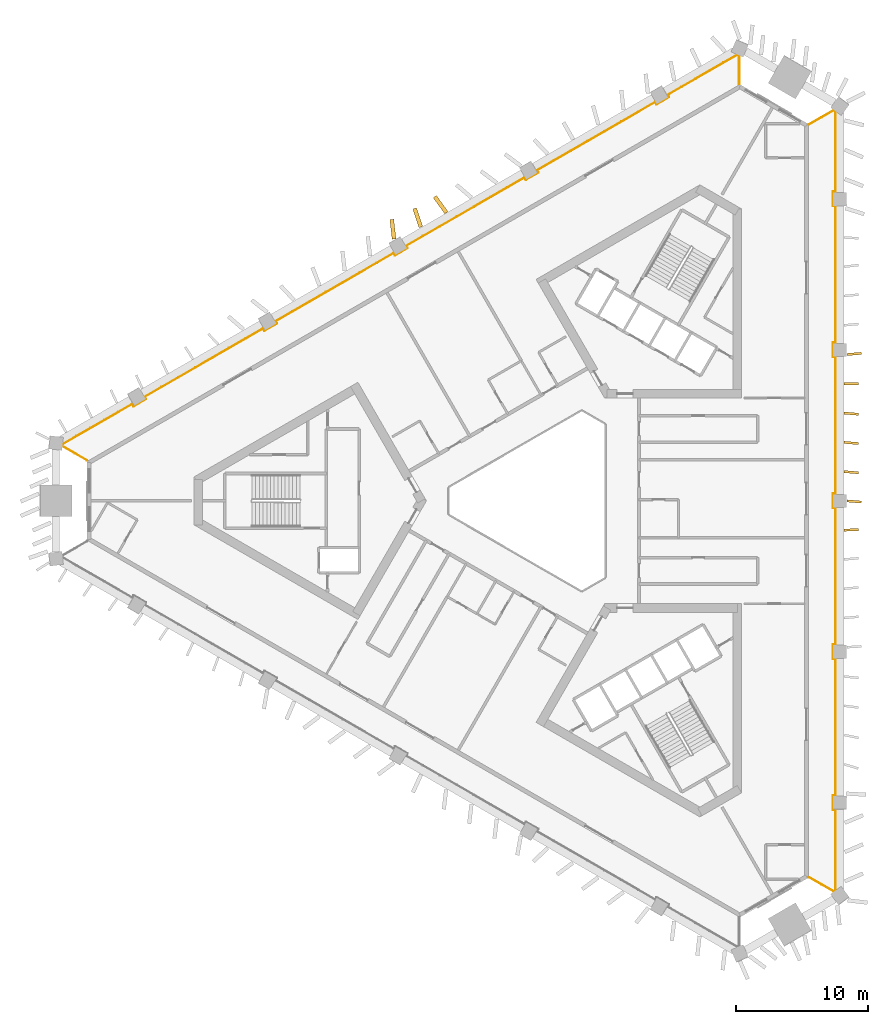
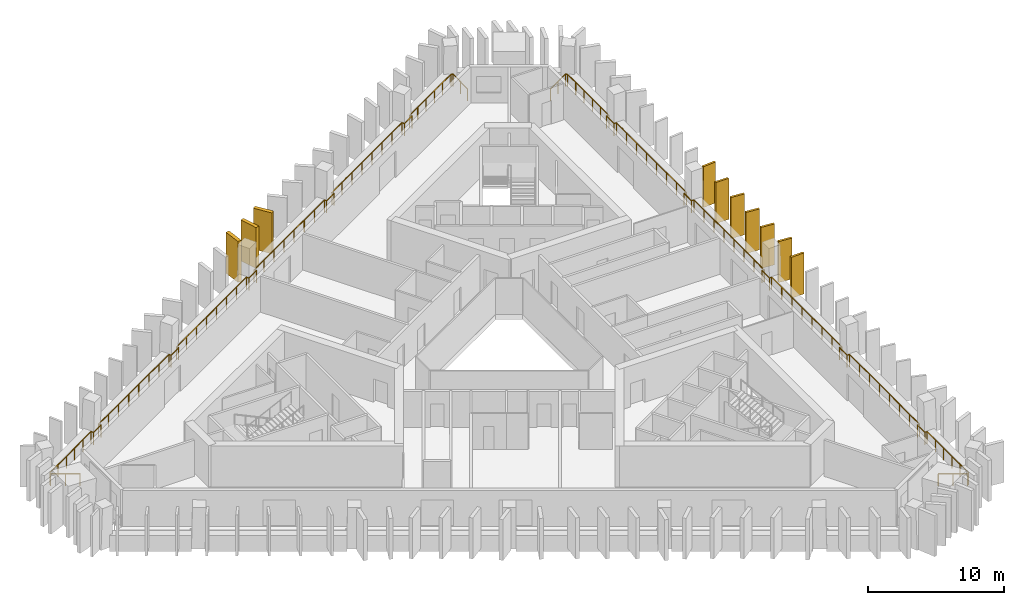
# One storey, part 10 of 11: 10 shading devices, 2 railings.
"""IFC4 building model written with IfcOpenShell, lengths in metres."""

from ifc_helpers import new_model, si_unit, direction, frame, frame_2d, origin, origin_2d, place, context, subcontext, project, spatial, rectangle, circle, extrude, material, layer, layer_set, type_object, element, save


model = new_model("IFC4")

# Units and contexts
model_context = context("Model", 3, precision=1e-05, world=origin(), true_north=direction((0.0, 1.0)))
body_context = subcontext(model_context, "Body", "Model", "MODEL_VIEW")
ifc_project = project(units=[si_unit("LENGTHUNIT", "METRE"), si_unit("AREAUNIT", "SQUARE_METRE"), si_unit("VOLUMEUNIT", "CUBIC_METRE"), si_unit("PLANEANGLEUNIT", "RADIAN"), si_unit("MASSUNIT", "GRAM", prefix="KILO")], contexts=[model_context])

# Site, building, storey
site_placement = place(None, origin())
site = spatial("IfcSite", under=ifc_project, at=site_placement, CompositionType="ELEMENT")
building_placement = place(site_placement, origin())
building = spatial("IfcBuilding", under=site, at=building_placement, Name="Jabali Bay Hotel Tower and Convention Centre", CompositionType="ELEMENT")
storey_placement = place(building_placement, frame((0.0, 0.0, 114.199951171875)))
storey = spatial("IfcBuildingStorey", under=building, at=storey_placement, Name="L27", CompositionType="ELEMENT", Elevation=114.199951171875)

# Railings
ifc_material_1 = material(Name="Glass", Category="glass")
railing_type = type_object("IfcRailingType", Name="Loggia glass guard 1100", PredefinedType="BALUSTRADE", material=ifc_material_1)
railing_1_placement = place(storey_placement, frame((95.0, 108.526611328125, 0.0)))
element("IfcRailing", 1, at=railing_1_placement, inside=storey, type_object=railing_type, Name="Loggia glass guard L27", PredefinedType="BALUSTRADE", context=body_context, shape_type="SweptSolid", body=[
    extrude(circle(Radius=0.02490234375, at=origin_2d()), frame((0.0, 0.0, 1.0751953125), z_axis=(0.866056034881, 0.49994694163, 0.0), x_axis=(-0.495669826239, 0.858646805445, 0.13052619222)), (0.0, 0.0, 1.0), 2.165283203125),
    extrude(circle(Radius=0.02490234375, at=origin_2d()), frame((1.875244140625, 1.08251953125, 1.0751953125), z_axis=(0.800939455023, -0.598745346025, 0.0), x_axis=(0.593622996588, 0.794087306954, 0.13052619222)), (0.0, 0.0, 1.0), 0.15576171875),
    extrude(circle(Radius=0.02490234375, at=origin_2d()), frame((2.0, 0.9892578125, 1.0751953125), z_axis=(0.0, -1.0, 0.0), x_axis=(0.991444861374, 0.0, 0.13052619222)), (0.0, 0.0, 1.0), 6.081787109375),
    extrude(circle(Radius=0.02490234375, at=origin_2d()), frame((2.0, -5.092529296875, 1.0751953125), z_axis=(-1.0, 0.0, 0.0), x_axis=(0.0, -0.991444861374, 0.13052619222)), (0.0, 0.0, 1.0), 0.199951171875),
    extrude(circle(Radius=0.02490234375, at=origin_2d()), frame((1.800048828125, -5.092529296875, 1.0751953125), z_axis=(0.0, -1.0, 0.0), x_axis=(0.991444861374, 0.0, 0.13052619222)), (0.0, 0.0, 1.0), 1.099853515625),
    extrude(circle(Radius=0.02490234375, at=origin_2d()), frame((1.800048828125, -6.1923828125, 1.0751953125), z_axis=(1.0, 0.0, 0.0), x_axis=(0.0, 0.991444861374, 0.13052619222)), (0.0, 0.0, 1.0), 0.199951171875),
    extrude(circle(Radius=0.02490234375, at=origin_2d()), frame((2.0, -6.1923828125, 1.0751953125), z_axis=(0.0, -1.0, 0.0), x_axis=(0.991444861374, 0.0, 0.13052619222)), (0.0, 0.0, 1.0), 10.342041015625),
    extrude(circle(Radius=0.02490234375, at=origin_2d()), frame((2.0, -16.534423828125, 1.0751953125), z_axis=(-1.0, 0.0, 0.0), x_axis=(0.0, -0.991444861374, 0.13052619222)), (0.0, 0.0, 1.0), 0.199951171875),
    extrude(circle(Radius=0.02490234375, at=origin_2d()), frame((1.800048828125, -16.534423828125, 1.0751953125), z_axis=(0.0, -1.0, 0.0), x_axis=(0.991444861374, 0.0, 0.13052619222)), (0.0, 0.0, 1.0), 1.10009765625),
    extrude(circle(Radius=0.02490234375, at=origin_2d()), frame((1.800048828125, -17.634521484375, 1.0751953125), z_axis=(1.0, 0.0, 0.0), x_axis=(0.0, 0.991444861374, 0.13052619222)), (0.0, 0.0, 1.0), 0.199951171875),
    extrude(circle(Radius=0.02490234375, at=origin_2d()), frame((2.0, -17.634521484375, 1.0751953125), z_axis=(0.0, -1.0, 0.0), x_axis=(0.991444861374, 0.0, 0.13052619222)), (0.0, 0.0, 1.0), 10.342041015625),
    extrude(circle(Radius=0.02490234375, at=origin_2d()), frame((2.0, -27.9765625, 1.0751953125), z_axis=(-1.0, 0.0, 0.0), x_axis=(0.0, -0.991444861374, 0.13052619222)), (0.0, 0.0, 1.0), 0.199951171875),
    extrude(circle(Radius=0.02490234375, at=origin_2d()), frame((1.800048828125, -27.9765625, 1.0751953125), z_axis=(0.0, -1.0, 0.0), x_axis=(0.991444861374, 0.0, 0.13052619222)), (0.0, 0.0, 1.0), 1.10009765625),
    extrude(circle(Radius=0.02490234375, at=origin_2d()), frame((1.800048828125, -29.07666015625, 1.0751953125), z_axis=(1.0, 0.0, 0.0), x_axis=(0.0, 0.991444861374, 0.13052619222)), (0.0, 0.0, 1.0), 0.199951171875),
    extrude(circle(Radius=0.02490234375, at=origin_2d()), frame((2.0, -29.07666015625, 1.0751953125), z_axis=(0.0, -1.0, 0.0), x_axis=(0.991444861374, 0.0, 0.13052619222)), (0.0, 0.0, 1.0), 10.342041015625),
    extrude(circle(Radius=0.02490234375, at=origin_2d()), frame((2.0, -39.418701171875, 1.0751953125), z_axis=(-1.0, 0.0, 0.0), x_axis=(0.0, -0.991444861374, 0.13052619222)), (0.0, 0.0, 1.0), 0.199951171875),
    extrude(circle(Radius=0.02490234375, at=origin_2d()), frame((1.800048828125, -39.418701171875, 1.0751953125), z_axis=(0.0, -1.0, 0.0), x_axis=(0.991444861374, 0.0, 0.13052619222)), (0.0, 0.0, 1.0), 1.10009765625),
    extrude(circle(Radius=0.02490234375, at=origin_2d()), frame((1.800048828125, -40.518798828125, 1.0751953125), z_axis=(1.0, 0.0, 0.0), x_axis=(0.0, 0.991444861374, 0.13052619222)), (0.0, 0.0, 1.0), 0.199951171875),
    extrude(circle(Radius=0.02490234375, at=origin_2d()), frame((2.0, -40.518798828125, 1.0751953125), z_axis=(0.0, -1.0, 0.0), x_axis=(0.991444861374, 0.0, 0.13052619222)), (0.0, 0.0, 1.0), 10.342041015625),
    extrude(circle(Radius=0.02490234375, at=origin_2d()), frame((2.0, -50.86083984375, 1.0751953125), z_axis=(-1.0, 0.0, 0.0), x_axis=(0.0, -0.991444861374, 0.13052619222)), (0.0, 0.0, 1.0), 0.199951171875),
    extrude(circle(Radius=0.02490234375, at=origin_2d()), frame((1.800048828125, -50.86083984375, 1.0751953125), z_axis=(0.0, -1.0, 0.0), x_axis=(0.991444861374, 0.0, 0.13052619222)), (0.0, 0.0, 1.0), 1.099853515625),
    extrude(circle(Radius=0.02490234375, at=origin_2d()), frame((1.800048828125, -51.960693359375, 1.0751953125), z_axis=(1.0, 0.0, 0.0), x_axis=(0.0, 0.991444861374, 0.13052619222)), (0.0, 0.0, 1.0), 0.199951171875),
    extrude(circle(Radius=0.02490234375, at=origin_2d()), frame((2.0, -51.960693359375, 1.0751953125), z_axis=(0.0, -1.0, 0.0), x_axis=(0.991444861374, 0.0, 0.13052619222)), (0.0, 0.0, 1.0), 6.081787109375),
    extrude(circle(Radius=0.02490234375, at=origin_2d()), frame((2.0, -58.04248046875, 1.0751953125), z_axis=(-0.800939455023, -0.598745346025, 0.0), x_axis=(0.593622996588, -0.794087306954, 0.13052619222)), (0.0, 0.0, 1.0), 0.15576171875),
    extrude(circle(Radius=0.02490234375, at=origin_2d()), frame((1.875244140625, -58.1357421875, 1.0751953125), z_axis=(-0.866056034881, 0.49994694163, 0.0), x_axis=(-0.495669826239, -0.858646805445, 0.13052619222)), (0.0, 0.0, 1.0), 2.165283203125),
    extrude(circle(Radius=0.02001953125, at=origin_2d()), origin(), (0.0, 0.0, 1.0), 1.050048828125),
    extrude(circle(Radius=0.02001953125, at=origin_2d()), frame((0.9375, 0.541259765625, 0.0)), (0.0, 0.0, 1.0), 1.050048828125),
    extrude(circle(Radius=0.02001953125, at=origin_2d()), frame((1.875244140625, 1.08251953125, 0.0)), (0.0, 0.0, 1.0), 1.050048828125),
    extrude(circle(Radius=0.02001953125, at=origin_2d()), frame((2.0, 0.9892578125, 0.0)), (0.0, 0.0, 1.0), 1.050048828125),
    extrude(circle(Radius=0.02001953125, at=origin_2d()), frame((2.0, -0.22705078125, 0.0)), (0.0, 0.0, 1.0), 1.050048828125),
    extrude(circle(Radius=0.02001953125, at=origin_2d()), frame((2.0, -1.443359375, 0.0)), (0.0, 0.0, 1.0), 1.050048828125),
    extrude(circle(Radius=0.02001953125, at=origin_2d()), frame((2.0, -2.659912109375, 0.0)), (0.0, 0.0, 1.0), 1.050048828125),
    extrude(circle(Radius=0.02001953125, at=origin_2d()), frame((2.0, -3.876220703125, 0.0)), (0.0, 0.0, 1.0), 1.050048828125),
    extrude(circle(Radius=0.02001953125, at=origin_2d()), frame((2.0, -5.092529296875, 0.0)), (0.0, 0.0, 1.0), 1.050048828125),
    extrude(circle(Radius=0.02001953125, at=origin_2d()), frame((1.800048828125, -5.092529296875, 0.0)), (0.0, 0.0, 1.0), 1.050048828125),
    extrude(circle(Radius=0.02001953125, at=origin_2d()), frame((1.800048828125, -6.1923828125, 0.0)), (0.0, 0.0, 1.0), 1.050048828125),
    extrude(circle(Radius=0.02001953125, at=origin_2d()), frame((2.0, -6.1923828125, 0.0)), (0.0, 0.0, 1.0), 1.050048828125),
    extrude(circle(Radius=0.02001953125, at=origin_2d()), frame((2.0, -7.669921875, 0.0)), (0.0, 0.0, 1.0), 1.050048828125),
    extrude(circle(Radius=0.02001953125, at=origin_2d()), frame((2.0, -9.147216796875, 0.0)), (0.0, 0.0, 1.0), 1.050048828125),
    extrude(circle(Radius=0.02001953125, at=origin_2d()), frame((2.0, -10.624755859375, 0.0)), (0.0, 0.0, 1.0), 1.050048828125),
    extrude(circle(Radius=0.02001953125, at=origin_2d()), frame((2.0, -12.10205078125, 0.0)), (0.0, 0.0, 1.0), 1.050048828125),
    extrude(circle(Radius=0.02001953125, at=origin_2d()), frame((2.0, -13.57958984375, 0.0)), (0.0, 0.0, 1.0), 1.050048828125),
    extrude(circle(Radius=0.02001953125, at=origin_2d()), frame((2.0, -15.056884765625, 0.0)), (0.0, 0.0, 1.0), 1.050048828125),
    extrude(circle(Radius=0.02001953125, at=origin_2d()), frame((2.0, -16.534423828125, 0.0)), (0.0, 0.0, 1.0), 1.050048828125),
    extrude(circle(Radius=0.02001953125, at=origin_2d()), frame((1.800048828125, -16.534423828125, 0.0)), (0.0, 0.0, 1.0), 1.050048828125),
    extrude(circle(Radius=0.02001953125, at=origin_2d()), frame((1.800048828125, -17.634521484375, 0.0)), (0.0, 0.0, 1.0), 1.050048828125),
    extrude(circle(Radius=0.02001953125, at=origin_2d()), frame((2.0, -17.634521484375, 0.0)), (0.0, 0.0, 1.0), 1.050048828125),
    extrude(circle(Radius=0.02001953125, at=origin_2d()), frame((2.0, -19.112060546875, 0.0)), (0.0, 0.0, 1.0), 1.050048828125),
    extrude(circle(Radius=0.02001953125, at=origin_2d()), frame((2.0, -20.58935546875, 0.0)), (0.0, 0.0, 1.0), 1.050048828125),
    extrude(circle(Radius=0.02001953125, at=origin_2d()), frame((2.0, -22.06689453125, 0.0)), (0.0, 0.0, 1.0), 1.050048828125),
    extrude(circle(Radius=0.02001953125, at=origin_2d()), frame((2.0, -23.544189453125, 0.0)), (0.0, 0.0, 1.0), 1.050048828125),
    extrude(circle(Radius=0.02001953125, at=origin_2d()), frame((2.0, -25.021728515625, 0.0)), (0.0, 0.0, 1.0), 1.050048828125),
    extrude(circle(Radius=0.02001953125, at=origin_2d()), frame((2.0, -26.4990234375, 0.0)), (0.0, 0.0, 1.0), 1.050048828125),
    extrude(circle(Radius=0.02001953125, at=origin_2d()), frame((2.0, -27.9765625, 0.0)), (0.0, 0.0, 1.0), 1.050048828125),
    extrude(circle(Radius=0.02001953125, at=origin_2d()), frame((1.800048828125, -27.9765625, 0.0)), (0.0, 0.0, 1.0), 1.050048828125),
    extrude(circle(Radius=0.02001953125, at=origin_2d()), frame((1.800048828125, -29.07666015625, 0.0)), (0.0, 0.0, 1.0), 1.050048828125),
    extrude(circle(Radius=0.02001953125, at=origin_2d()), frame((2.0, -29.07666015625, 0.0)), (0.0, 0.0, 1.0), 1.050048828125),
    extrude(circle(Radius=0.02001953125, at=origin_2d()), frame((2.0, -30.55419921875, 0.0)), (0.0, 0.0, 1.0), 1.050048828125),
    extrude(circle(Radius=0.02001953125, at=origin_2d()), frame((2.0, -32.031494140625, 0.0)), (0.0, 0.0, 1.0), 1.050048828125),
    extrude(circle(Radius=0.02001953125, at=origin_2d()), frame((2.0, -33.509033203125, 0.0)), (0.0, 0.0, 1.0), 1.050048828125),
    extrude(circle(Radius=0.02001953125, at=origin_2d()), frame((2.0, -34.986328125, 0.0)), (0.0, 0.0, 1.0), 1.050048828125),
    extrude(circle(Radius=0.02001953125, at=origin_2d()), frame((2.0, -36.4638671875, 0.0)), (0.0, 0.0, 1.0), 1.050048828125),
    extrude(circle(Radius=0.02001953125, at=origin_2d()), frame((2.0, -37.941162109375, 0.0)), (0.0, 0.0, 1.0), 1.050048828125),
    extrude(circle(Radius=0.02001953125, at=origin_2d()), frame((2.0, -39.418701171875, 0.0)), (0.0, 0.0, 1.0), 1.050048828125),
    extrude(circle(Radius=0.02001953125, at=origin_2d()), frame((1.800048828125, -39.418701171875, 0.0)), (0.0, 0.0, 1.0), 1.050048828125),
    extrude(circle(Radius=0.02001953125, at=origin_2d()), frame((1.800048828125, -40.518798828125, 0.0)), (0.0, 0.0, 1.0), 1.050048828125),
    extrude(circle(Radius=0.02001953125, at=origin_2d()), frame((2.0, -40.518798828125, 0.0)), (0.0, 0.0, 1.0), 1.050048828125),
    extrude(circle(Radius=0.02001953125, at=origin_2d()), frame((2.0, -41.996337890625, 0.0)), (0.0, 0.0, 1.0), 1.050048828125),
    extrude(circle(Radius=0.02001953125, at=origin_2d()), frame((2.0, -43.4736328125, 0.0)), (0.0, 0.0, 1.0), 1.050048828125),
    extrude(circle(Radius=0.02001953125, at=origin_2d()), frame((2.0, -44.951171875, 0.0)), (0.0, 0.0, 1.0), 1.050048828125),
    extrude(circle(Radius=0.02001953125, at=origin_2d()), frame((2.0, -46.428466796875, 0.0)), (0.0, 0.0, 1.0), 1.050048828125),
    extrude(circle(Radius=0.02001953125, at=origin_2d()), frame((2.0, -47.906005859375, 0.0)), (0.0, 0.0, 1.0), 1.050048828125),
    extrude(circle(Radius=0.02001953125, at=origin_2d()), frame((2.0, -49.38330078125, 0.0)), (0.0, 0.0, 1.0), 1.050048828125),
    extrude(circle(Radius=0.02001953125, at=origin_2d()), frame((2.0, -50.86083984375, 0.0)), (0.0, 0.0, 1.0), 1.050048828125),
    extrude(circle(Radius=0.02001953125, at=origin_2d()), frame((1.800048828125, -50.86083984375, 0.0)), (0.0, 0.0, 1.0), 1.050048828125),
    extrude(circle(Radius=0.02001953125, at=origin_2d()), frame((1.800048828125, -51.960693359375, 0.0)), (0.0, 0.0, 1.0), 1.050048828125),
    extrude(circle(Radius=0.02001953125, at=origin_2d()), frame((2.0, -51.960693359375, 0.0)), (0.0, 0.0, 1.0), 1.050048828125),
    extrude(circle(Radius=0.02001953125, at=origin_2d()), frame((2.0, -53.177001953125, 0.0)), (0.0, 0.0, 1.0), 1.050048828125),
    extrude(circle(Radius=0.02001953125, at=origin_2d()), frame((2.0, -54.393310546875, 0.0)), (0.0, 0.0, 1.0), 1.050048828125),
    extrude(circle(Radius=0.02001953125, at=origin_2d()), frame((2.0, -55.60986328125, 0.0)), (0.0, 0.0, 1.0), 1.050048828125),
    extrude(circle(Radius=0.02001953125, at=origin_2d()), frame((2.0, -56.826171875, 0.0)), (0.0, 0.0, 1.0), 1.050048828125),
    extrude(circle(Radius=0.02001953125, at=origin_2d()), frame((2.0, -58.04248046875, 0.0)), (0.0, 0.0, 1.0), 1.050048828125),
    extrude(circle(Radius=0.02001953125, at=origin_2d()), frame((1.875244140625, -58.1357421875, 0.0)), (0.0, 0.0, 1.0), 1.050048828125),
    extrude(circle(Radius=0.02001953125, at=origin_2d()), frame((0.9375, -57.594482421875, 0.0)), (0.0, 0.0, 1.0), 1.050048828125),
    extrude(circle(Radius=0.02001953125, at=origin_2d()), frame((0.0, -57.05322265625, 0.0)), (0.0, 0.0, 1.0), 1.050048828125),
])
railing_2_placement = place(storey_placement, frame((40.295166015625, 83.057373046875, 0.0)))
element("IfcRailing", 2, at=railing_2_placement, inside=storey, type_object=railing_type, Name="Loggia glass guard L27", PredefinedType="BALUSTRADE", context=body_context, shape_type="SweptSolid", body=[
    extrude(circle(Radius=0.02490234375, at=origin_2d()), frame((0.0, 0.0, 1.0751953125), z_axis=(-0.866027848477, 0.499995765644, 0.0), x_axis=(-0.495718232557, -0.858618860179, 0.13052619222)), (0.0, 0.0, 1.0), 2.1650390625),
    extrude(circle(Radius=0.02490234375, at=origin_2d()), frame((-1.875, 1.08251953125, 1.0751953125), z_axis=(0.117477392411, 0.993075557182, 0.0), x_axis=(-0.984579658124, 0.116472357034, 0.13052619222)), (0.0, 0.0, 1.0), 0.15576171875),
    extrude(circle(Radius=0.02490234375, at=origin_2d()), frame((-1.856689453125, 1.2373046875, 1.0751953125), z_axis=(0.866028486751, 0.499994660107, 0.0), x_axis=(-0.495717136477, 0.858619492993, 0.13052619222)), (0.0, 0.0, 1.0), 6.08154296875),
    extrude(circle(Radius=0.02490234375, at=origin_2d()), frame((3.41015625, 4.278076171875, 1.0751953125), z_axis=(0.500603037456, -0.865676959893, 0.0), x_axis=(0.858270973496, 0.496320309074, 0.13052619222)), (0.0, 0.0, 1.0), 0.199951171875),
    extrude(circle(Radius=0.02490234375, at=origin_2d()), frame((3.51025390625, 4.10498046875, 1.0751953125), z_axis=(0.866008176907, 0.50002983664, 0.0), x_axis=(-0.495752012071, 0.858599356902, 0.13052619222)), (0.0, 0.0, 1.0), 1.10009765625),
    extrude(circle(Radius=0.02490234375, at=origin_2d()), frame((4.462890625, 4.655029296875, 1.0751953125), z_axis=(-0.500603037456, 0.865676959893, 0.0), x_axis=(-0.858270973496, -0.496320309074, 0.13052619222)), (0.0, 0.0, 1.0), 0.199951171875),
    extrude(circle(Radius=0.02490234375, at=origin_2d()), frame((4.36279296875, 4.828125, 1.0751953125), z_axis=(0.86602205075, 0.500005807581, 0.0), x_axis=(-0.495728188584, 0.858613112052, 0.13052619222)), (0.0, 0.0, 1.0), 10.34228515625),
    extrude(circle(Radius=0.02490234375, at=origin_2d()), frame((13.3193359375, 9.999267578125, 1.0751953125), z_axis=(0.500074377092, -0.865982457891, 0.0), x_axis=(0.858573857916, 0.495796171473, 0.13052619222)), (0.0, 0.0, 1.0), 0.2001953125),
    extrude(circle(Radius=0.02490234375, at=origin_2d()), frame((13.41943359375, 9.825927734375, 1.0751953125), z_axis=(0.866008176907, 0.50002983664, 0.0), x_axis=(-0.495752012071, 0.858599356902, 0.13052619222)), (0.0, 0.0, 1.0), 1.10009765625),
    extrude(circle(Radius=0.02490234375, at=origin_2d()), frame((14.3720703125, 10.3759765625, 1.0751953125), z_axis=(-0.500074377092, 0.865982457891, 0.0), x_axis=(-0.858573857916, -0.495796171473, 0.13052619222)), (0.0, 0.0, 1.0), 0.2001953125),
    extrude(circle(Radius=0.02490234375, at=origin_2d()), frame((14.27197265625, 10.54931640625, 1.0751953125), z_axis=(0.866032272612, 0.499988102653, 0.0), x_axis=(-0.495710635123, 0.858623246465, 0.13052619222)), (0.0, 0.0, 1.0), 10.342041015625),
    extrude(circle(Radius=0.02490234375, at=origin_2d()), frame((23.228515625, 15.72021484375, 1.0751953125), z_axis=(0.499687197852, -0.866205924883, 0.0), x_axis=(0.858795413117, 0.495412304605, 0.13052619222)), (0.0, 0.0, 1.0), 0.199951171875),
    extrude(circle(Radius=0.02490234375, at=origin_2d()), frame((23.328369140625, 15.547119140625, 1.0751953125), z_axis=(0.866008176907, 0.50002983664, 0.0), x_axis=(-0.495752012071, 0.858599356902, 0.13052619222)), (0.0, 0.0, 1.0), 1.10009765625),
    extrude(circle(Radius=0.02490234375, at=origin_2d()), frame((24.281005859375, 16.09716796875, 1.0751953125), z_axis=(-0.499687197852, 0.866205924883, 0.0), x_axis=(-0.858795413117, -0.495412304605, 0.13052619222)), (0.0, 0.0, 1.0), 0.199951171875),
    extrude(circle(Radius=0.02490234375, at=origin_2d()), frame((24.18115234375, 16.270263671875, 1.0751953125), z_axis=(0.86602205075, 0.500005807581, 0.0), x_axis=(-0.495728188584, 0.858613112052, 0.13052619222)), (0.0, 0.0, 1.0), 10.34228515625),
    extrude(circle(Radius=0.02490234375, at=origin_2d()), frame((33.1376953125, 21.44140625, 1.0751953125), z_axis=(0.499158860599, -0.866510491504, 0.0), x_axis=(0.859097374128, 0.49488848735, 0.13052619222)), (0.0, 0.0, 1.0), 0.199951171875),
    extrude(circle(Radius=0.02490234375, at=origin_2d()), frame((33.237548828125, 21.26806640625, 1.0751953125), z_axis=(0.866008176907, 0.50002983664, 0.0), x_axis=(-0.495752012071, 0.858599356902, 0.13052619222)), (0.0, 0.0, 1.0), 1.10009765625),
    extrude(circle(Radius=0.02490234375, at=origin_2d()), frame((34.190185546875, 21.818115234375, 1.0751953125), z_axis=(-0.499687197852, 0.866205924883, 0.0), x_axis=(-0.858795413117, -0.495412304605, 0.13052619222)), (0.0, 0.0, 1.0), 0.199951171875),
    extrude(circle(Radius=0.02490234375, at=origin_2d()), frame((34.09033203125, 21.9912109375, 1.0751953125), z_axis=(0.86602205075, 0.500005807581, 0.0), x_axis=(-0.495728188584, 0.858613112052, 0.13052619222)), (0.0, 0.0, 1.0), 10.34228515625),
    extrude(circle(Radius=0.02490234375, at=origin_2d()), frame((43.046875, 27.162353515625, 1.0751953125), z_axis=(0.499687197852, -0.866205924883, 0.0), x_axis=(0.858795413117, 0.495412304605, 0.13052619222)), (0.0, 0.0, 1.0), 0.199951171875),
    extrude(circle(Radius=0.02490234375, at=origin_2d()), frame((43.146728515625, 26.9892578125, 1.0751953125), z_axis=(0.866104278045, 0.499863360881, 0.0), x_axis=(-0.495586960535, 0.858694635882, 0.13052619222)), (0.0, 0.0, 1.0), 1.099853515625),
    extrude(circle(Radius=0.02490234375, at=origin_2d()), frame((44.099365234375, 27.5390625, 1.0751953125), z_axis=(-0.500074377092, 0.865982457891, 0.0), x_axis=(-0.858573857916, -0.495796171473, 0.13052619222)), (0.0, 0.0, 1.0), 0.2001953125),
    extrude(circle(Radius=0.02490234375, at=origin_2d()), frame((43.999267578125, 27.71240234375, 1.0751953125), z_axis=(0.866038522036, 0.499977277833, 0.0), x_axis=(-0.495699902911, 0.858629442425, 0.13052619222)), (0.0, 0.0, 1.0), 6.081787109375),
    extrude(circle(Radius=0.02490234375, at=origin_2d()), frame((49.266357421875, 30.753173828125, 1.0751953125), z_axis=(0.918657809016, -0.395054211386, 0.0), x_axis=(0.391674467843, 0.91079856411, 0.13052619222)), (0.0, 0.0, 1.0), 0.15576171875),
    extrude(circle(Radius=0.02490234375, at=origin_2d()), frame((49.409423828125, 30.691650390625, 1.0751953125), z_axis=(0.0, -1.0, 0.0), x_axis=(0.991444861374, 0.0, 0.13052619222)), (0.0, 0.0, 1.0), 2.165283203125),
    extrude(circle(Radius=0.02001953125, at=origin_2d()), origin(), (0.0, 0.0, 1.0), 1.050048828125),
    extrude(circle(Radius=0.02001953125, at=origin_2d()), frame((-0.9375, 0.541259765625, 0.0)), (0.0, 0.0, 1.0), 1.050048828125),
    extrude(circle(Radius=0.02001953125, at=origin_2d()), frame((-1.875, 1.08251953125, 0.0)), (0.0, 0.0, 1.0), 1.050048828125),
    extrude(circle(Radius=0.02001953125, at=origin_2d()), frame((-1.856689453125, 1.2373046875, 0.0)), (0.0, 0.0, 1.0), 1.050048828125),
    extrude(circle(Radius=0.02001953125, at=origin_2d()), frame((-0.80322265625, 1.845458984375, 0.0)), (0.0, 0.0, 1.0), 1.050048828125),
    extrude(circle(Radius=0.02001953125, at=origin_2d()), frame((0.25, 2.45361328125, 0.0)), (0.0, 0.0, 1.0), 1.050048828125),
    extrude(circle(Radius=0.02001953125, at=origin_2d()), frame((1.303466796875, 3.061767578125, 0.0)), (0.0, 0.0, 1.0), 1.050048828125),
    extrude(circle(Radius=0.02001953125, at=origin_2d()), frame((2.356689453125, 3.669921875, 0.0)), (0.0, 0.0, 1.0), 1.050048828125),
    extrude(circle(Radius=0.02001953125, at=origin_2d()), frame((3.41015625, 4.278076171875, 0.0)), (0.0, 0.0, 1.0), 1.050048828125),
    extrude(circle(Radius=0.02001953125, at=origin_2d()), frame((3.51025390625, 4.10498046875, 0.0)), (0.0, 0.0, 1.0), 1.050048828125),
    extrude(circle(Radius=0.02001953125, at=origin_2d()), frame((4.462890625, 4.655029296875, 0.0)), (0.0, 0.0, 1.0), 1.050048828125),
    extrude(circle(Radius=0.02001953125, at=origin_2d()), frame((4.36279296875, 4.828125, 0.0)), (0.0, 0.0, 1.0), 1.050048828125),
    extrude(circle(Radius=0.02001953125, at=origin_2d()), frame((5.642333984375, 5.56689453125, 0.0)), (0.0, 0.0, 1.0), 1.050048828125),
    extrude(circle(Radius=0.02001953125, at=origin_2d()), frame((6.921875, 6.3056640625, 0.0)), (0.0, 0.0, 1.0), 1.050048828125),
    extrude(circle(Radius=0.02001953125, at=origin_2d()), frame((8.201416015625, 7.04443359375, 0.0)), (0.0, 0.0, 1.0), 1.050048828125),
    extrude(circle(Radius=0.02001953125, at=origin_2d()), frame((9.480712890625, 7.782958984375, 0.0)), (0.0, 0.0, 1.0), 1.050048828125),
    extrude(circle(Radius=0.02001953125, at=origin_2d()), frame((10.76025390625, 8.521728515625, 0.0)), (0.0, 0.0, 1.0), 1.050048828125),
    extrude(circle(Radius=0.02001953125, at=origin_2d()), frame((12.039794921875, 9.260498046875, 0.0)), (0.0, 0.0, 1.0), 1.050048828125),
    extrude(circle(Radius=0.02001953125, at=origin_2d()), frame((13.3193359375, 9.999267578125, 0.0)), (0.0, 0.0, 1.0), 1.050048828125),
    extrude(circle(Radius=0.02001953125, at=origin_2d()), frame((13.41943359375, 9.825927734375, 0.0)), (0.0, 0.0, 1.0), 1.050048828125),
    extrude(circle(Radius=0.02001953125, at=origin_2d()), frame((14.3720703125, 10.3759765625, 0.0)), (0.0, 0.0, 1.0), 1.050048828125),
    extrude(circle(Radius=0.02001953125, at=origin_2d()), frame((14.27197265625, 10.54931640625, 0.0)), (0.0, 0.0, 1.0), 1.050048828125),
    extrude(circle(Radius=0.02001953125, at=origin_2d()), frame((15.551513671875, 11.2880859375, 0.0)), (0.0, 0.0, 1.0), 1.050048828125),
    extrude(circle(Radius=0.02001953125, at=origin_2d()), frame((16.8310546875, 12.026611328125, 0.0)), (0.0, 0.0, 1.0), 1.050048828125),
    extrude(circle(Radius=0.02001953125, at=origin_2d()), frame((18.110595703125, 12.765380859375, 0.0)), (0.0, 0.0, 1.0), 1.050048828125),
    extrude(circle(Radius=0.02001953125, at=origin_2d()), frame((19.389892578125, 13.504150390625, 0.0)), (0.0, 0.0, 1.0), 1.050048828125),
    extrude(circle(Radius=0.02001953125, at=origin_2d()), frame((20.66943359375, 14.242919921875, 0.0)), (0.0, 0.0, 1.0), 1.050048828125),
    extrude(circle(Radius=0.02001953125, at=origin_2d()), frame((21.948974609375, 14.9814453125, 0.0)), (0.0, 0.0, 1.0), 1.050048828125),
    extrude(circle(Radius=0.02001953125, at=origin_2d()), frame((23.228515625, 15.72021484375, 0.0)), (0.0, 0.0, 1.0), 1.050048828125),
    extrude(circle(Radius=0.02001953125, at=origin_2d()), frame((23.328369140625, 15.547119140625, 0.0)), (0.0, 0.0, 1.0), 1.050048828125),
    extrude(circle(Radius=0.02001953125, at=origin_2d()), frame((24.281005859375, 16.09716796875, 0.0)), (0.0, 0.0, 1.0), 1.050048828125),
    extrude(circle(Radius=0.02001953125, at=origin_2d()), frame((24.18115234375, 16.270263671875, 0.0)), (0.0, 0.0, 1.0), 1.050048828125),
    extrude(circle(Radius=0.02001953125, at=origin_2d()), frame((25.460693359375, 17.009033203125, 0.0)), (0.0, 0.0, 1.0), 1.050048828125),
    extrude(circle(Radius=0.02001953125, at=origin_2d()), frame((26.740234375, 17.747802734375, 0.0)), (0.0, 0.0, 1.0), 1.050048828125),
    extrude(circle(Radius=0.02001953125, at=origin_2d()), frame((28.019775390625, 18.486572265625, 0.0)), (0.0, 0.0, 1.0), 1.050048828125),
    extrude(circle(Radius=0.02001953125, at=origin_2d()), frame((29.299072265625, 19.22509765625, 0.0)), (0.0, 0.0, 1.0), 1.050048828125),
    extrude(circle(Radius=0.02001953125, at=origin_2d()), frame((30.57861328125, 19.9638671875, 0.0)), (0.0, 0.0, 1.0), 1.050048828125),
    extrude(circle(Radius=0.02001953125, at=origin_2d()), frame((31.858154296875, 20.70263671875, 0.0)), (0.0, 0.0, 1.0), 1.050048828125),
    extrude(circle(Radius=0.02001953125, at=origin_2d()), frame((33.1376953125, 21.44140625, 0.0)), (0.0, 0.0, 1.0), 1.050048828125),
    extrude(circle(Radius=0.02001953125, at=origin_2d()), frame((33.237548828125, 21.26806640625, 0.0)), (0.0, 0.0, 1.0), 1.050048828125),
    extrude(circle(Radius=0.02001953125, at=origin_2d()), frame((34.190185546875, 21.818115234375, 0.0)), (0.0, 0.0, 1.0), 1.050048828125),
    extrude(circle(Radius=0.02001953125, at=origin_2d()), frame((34.09033203125, 21.9912109375, 0.0)), (0.0, 0.0, 1.0), 1.050048828125),
    extrude(circle(Radius=0.02001953125, at=origin_2d()), frame((35.369873046875, 22.72998046875, 0.0)), (0.0, 0.0, 1.0), 1.050048828125),
    extrude(circle(Radius=0.02001953125, at=origin_2d()), frame((36.6494140625, 23.46875, 0.0)), (0.0, 0.0, 1.0), 1.050048828125),
    extrude(circle(Radius=0.02001953125, at=origin_2d()), frame((37.928955078125, 24.20751953125, 0.0)), (0.0, 0.0, 1.0), 1.050048828125),
    extrude(circle(Radius=0.02001953125, at=origin_2d()), frame((39.208251953125, 24.946044921875, 0.0)), (0.0, 0.0, 1.0), 1.050048828125),
    extrude(circle(Radius=0.02001953125, at=origin_2d()), frame((40.48779296875, 25.684814453125, 0.0)), (0.0, 0.0, 1.0), 1.050048828125),
    extrude(circle(Radius=0.02001953125, at=origin_2d()), frame((41.767333984375, 26.423583984375, 0.0)), (0.0, 0.0, 1.0), 1.050048828125),
    extrude(circle(Radius=0.02001953125, at=origin_2d()), frame((43.046875, 27.162353515625, 0.0)), (0.0, 0.0, 1.0), 1.050048828125),
    extrude(circle(Radius=0.02001953125, at=origin_2d()), frame((43.146728515625, 26.9892578125, 0.0)), (0.0, 0.0, 1.0), 1.050048828125),
    extrude(circle(Radius=0.02001953125, at=origin_2d()), frame((44.099365234375, 27.5390625, 0.0)), (0.0, 0.0, 1.0), 1.050048828125),
    extrude(circle(Radius=0.02001953125, at=origin_2d()), frame((43.999267578125, 27.71240234375, 0.0)), (0.0, 0.0, 1.0), 1.050048828125),
    extrude(circle(Radius=0.02001953125, at=origin_2d()), frame((45.052734375, 28.320556640625, 0.0)), (0.0, 0.0, 1.0), 1.050048828125),
    extrude(circle(Radius=0.02001953125, at=origin_2d()), frame((46.106201171875, 28.9287109375, 0.0)), (0.0, 0.0, 1.0), 1.050048828125),
    extrude(circle(Radius=0.02001953125, at=origin_2d()), frame((47.159423828125, 29.536865234375, 0.0)), (0.0, 0.0, 1.0), 1.050048828125),
    extrude(circle(Radius=0.02001953125, at=origin_2d()), frame((48.212890625, 30.14501953125, 0.0)), (0.0, 0.0, 1.0), 1.050048828125),
    extrude(circle(Radius=0.02001953125, at=origin_2d()), frame((49.266357421875, 30.753173828125, 0.0)), (0.0, 0.0, 1.0), 1.050048828125),
    extrude(circle(Radius=0.02001953125, at=origin_2d()), frame((49.409423828125, 30.691650390625, 0.0)), (0.0, 0.0, 1.0), 1.050048828125),
    extrude(circle(Radius=0.02001953125, at=origin_2d()), frame((49.409423828125, 29.60888671875, 0.0)), (0.0, 0.0, 1.0), 1.050048828125),
    extrude(circle(Radius=0.02001953125, at=origin_2d()), frame((49.409423828125, 28.5263671875, 0.0)), (0.0, 0.0, 1.0), 1.050048828125),
])

# Shading devices
ifc_material_2 = material(Name="Precast concrete C60", Category="concrete")
ifc_layer_1 = layer(ifc_material_2, 0.179931640625)
ifc_layer_set_1 = layer_set([ifc_layer_1], Name="Precast concrete C60")
shading_device_type_1 = type_object("IfcShadingDeviceType", Name="Precast fin 3680 x 1100", PredefinedType="USERDEFINED", material=ifc_layer_set_1)
shading_device_placement = place(storey_placement, frame((97.645751953125, 77.7822265625, 0.010009765625), z_axis=(0.0, 0.0, 1.0), x_axis=(0.999353490639, 0.035952757158, 0.0)))
element("IfcShadingDevice", 3, at=shading_device_placement, inside=storey, type_object=shading_device_type_1, Name="Fin L27 012", ObjectType="FIN", PredefinedType="USERDEFINED", context=body_context, shape_type="SweptSolid", body=[
    extrude(rectangle(XDim=1.10009765625, YDim=0.179931640625, at=frame_2d((0.550048828125, 0.0))), origin(), (0.0, 0.0, 1.0), 3.679931640625),
])
for number, where, z_axis, x_axis, name in (
    (4, (97.857421875, 80.0, 0.010009765625), (0.0, 0.0, 1.0), (0.996621874565, -0.082126969619, 0.0), "Fin L27 013"),
    (5, (97.64990234375, 82.2177734375, 0.010009765625), (0.0, 0.0, 1.0), (0.996621874565, -0.082126969619, 0.0), "Fin L27 014"),
    (6, (97.64990234375, 84.435791015625, 0.010009765625), (0.0, 0.0, 1.0), (0.996603682798, -0.082347431251, 0.0), "Fin L27 015"),
    (7, (97.64990234375, 86.653564453125, 0.010009765625), (0.0, 0.0, 1.0), (0.996585442931, -0.082567880795, 0.0), "Fin L27 016"),
    (8, (97.642578125, 88.871337890625, 0.010009765625), (0.0, 0.0, 1.0), (0.999999975363, 0.000221975577, 0.0), "Fin L27 017"),
    (9, (97.857666015625, 91.08935546875, 0.010009765625), (0.0, 0.0, 1.0), (0.996417533917, 0.084570078062, 0.0), "Fin L27 018"),
):
    element("IfcShadingDevice", number, at=place(storey_placement, frame(where, z_axis=z_axis, x_axis=x_axis)), inside=storey, type_object=shading_device_type_1, Name=name, ObjectType="FIN", PredefinedType="USERDEFINED", context=body_context, shape_type="SweptSolid", body=[
        extrude(rectangle(XDim=1.099853515625, YDim=0.179931640625, at=frame_2d((0.5498046875, 0.0))), origin(), (0.0, 0.0, 1.0), 3.679931640625),
    ])
ifc_layer_2 = layer(ifc_material_2, 0.300048828125)
ifc_layer_set_2 = layer_set([ifc_layer_2], Name="Precast concrete C60")
shading_device_type_2 = type_object("IfcShadingDeviceType", Name="Precast fin 3680 x 1500", PredefinedType="USERDEFINED", material=ifc_layer_set_2)
for number, where, z_axis, x_axis, name in (
    (10, (67.512451171875, 101.840087890625, 0.010009765625), (0.0, 0.0, 1.0), (-0.585924267907, 0.810365813863, 0.0), "Fin L27 046"),
    (11, (65.5849609375, 100.7431640625, 0.010009765625), (0.0, 0.0, 1.0), (-0.321934829419, 0.946761831512, 0.0), "Fin L27 047"),
    (12, (63.545166015625, 99.84033203125, 0.010009765625), (0.0, 0.0, 1.0), (-0.114753848896, 0.993393957181, 0.0), "Fin L27 048"),
):
    element("IfcShadingDevice", number, at=place(storey_placement, frame(where, z_axis=z_axis, x_axis=x_axis)), inside=storey, type_object=shading_device_type_2, Name=name, ObjectType="FIN", PredefinedType="USERDEFINED", context=body_context, shape_type="SweptSolid", body=[
        extrude(rectangle(XDim=1.5, YDim=0.300048828125, at=frame_2d((0.75, 0.0))), origin(), (0.0, 0.0, 1.0), 3.679931640625),
    ])

save(model, "model.ifc")
